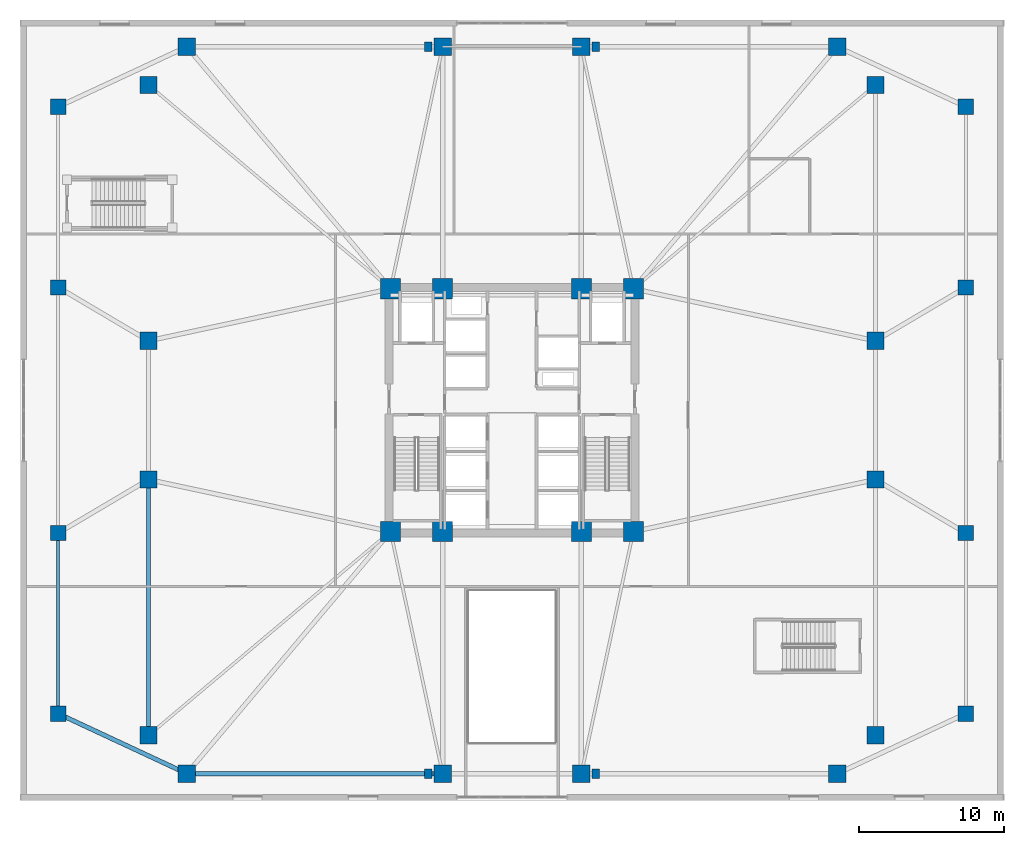
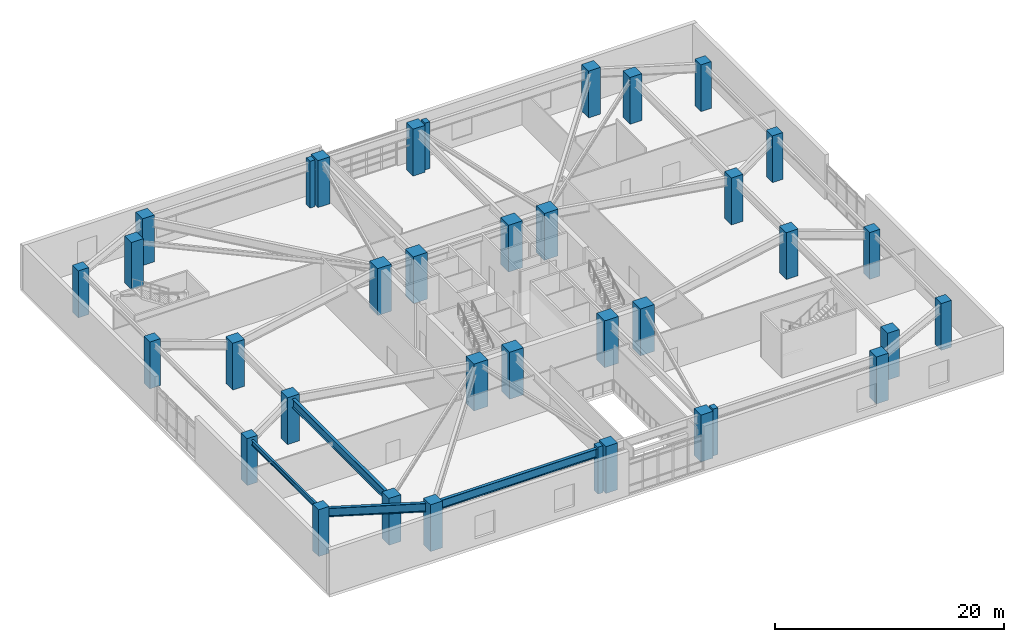
# One storey, part 1 of 20: 36 columns, 4 beams.
"""IFC4 building model written with IfcOpenShell, lengths in metres."""

import ifcopenshell
import ifcopenshell.guid

model = None  # the IFC model being written
_history = None  # IfcOwnerHistory: only IFC2X3 demands one
_inside = {}  # id of a spatial element -> (the spatial element, [elements in it])
_under = {}  # id of a project, library or spatial element -> (it, [spatial elements below it])
_declared = {}  # id of a project -> (the project, [libraries it declares])
_typed = {}  # id of a type object -> (the type object, [elements of that type])
_made_of = {}  # id of a material, layer set ... -> (it, [elements and type objects made of it])


def new_model(schema):
    """Start an empty IFC model of exactly this schema.

    Asked for "IFC4X3", IfcOpenShell would pick the latest addendum, in which some entities
    have other attributes; the version numbers below select the first issue.
    IFC2X3 requires an IfcOwnerHistory on every rooted entity: one is made here for all.
    """
    global model, _history
    if schema == "IFC4X3":
        model = ifcopenshell.file(schema_version=(4, 3, 0, 0))
    else:
        model = ifcopenshell.file(schema=schema)
    _inside.clear()
    _under.clear()
    _declared.clear()
    _typed.clear()
    _made_of.clear()
    _history = None
    if model.schema == "IFC2X3":
        org = make("IfcOrganization", Name="unknown")
        user = make(
            "IfcPersonAndOrganization",
            ThePerson=make("IfcPerson", FamilyName="unknown"),
            TheOrganization=org,
        )
        app = make(
            "IfcApplication",
            ApplicationDeveloper=org,
            Version="unknown",
            ApplicationFullName="unknown",
            ApplicationIdentifier="unknown",
        )
        _history = make(
            "IfcOwnerHistory",
            OwningUser=user,
            OwningApplication=app,
            ChangeAction="ADDED",
            CreationDate=0,
        )
    return model


def make(cls, **values):
    """One entity of the class cls with the attributes given. An attribute that is None is left unset."""
    return model.create_entity(
        cls, **{name: value for name, value in values.items() if value is not None}
    )


def rooted(cls, **values):
    """An entity with a GlobalId (a new one), such as an element, a storey or a relation."""
    return make(cls, GlobalId=ifcopenshell.guid.new(), OwnerHistory=_history, **values)


def si_unit(unit_type, name, prefix=None):
    """IfcSIUnit, for example si_unit("LENGTHUNIT", "METRE", prefix="MILLI")."""
    return make("IfcSIUnit", UnitType=unit_type, Prefix=prefix, Name=name)


def assignment(units):
    """IfcUnitAssignment: the units of a project."""
    return None if units is None else make("IfcUnitAssignment", Units=units)


def point(xyz):
    """IfcCartesianPoint."""
    return None if xyz is None else make("IfcCartesianPoint", Coordinates=xyz)


def direction(xyz):
    """IfcDirection."""
    return None if xyz is None else make("IfcDirection", DirectionRatios=xyz)


def frame(location, z_axis=None, x_axis=None):
    """IfcAxis2Placement3D, a coordinate frame: its origin and axes. An axis left out is left unset."""
    return make(
        "IfcAxis2Placement3D",
        Location=point(location),
        Axis=direction(z_axis),
        RefDirection=direction(x_axis),
    )


def frame_2d(location, x_axis=None):
    """IfcAxis2Placement2D, a coordinate frame in the plane: its origin and x axis."""
    return make(
        "IfcAxis2Placement2D", Location=point(location), RefDirection=direction(x_axis)
    )


def origin():
    """The frame at (0, 0, 0) with its axes left unset."""
    return frame((0.0, 0.0, 0.0))


def origin_2d():
    """The frame at (0, 0) in the plane with its x axis left unset."""
    return frame_2d((0.0, 0.0))


def place(relative_to, where):
    """IfcLocalPlacement: puts the frame where relative to a parent placement (None: the world)."""
    return make(
        "IfcLocalPlacement", PlacementRelTo=relative_to, RelativePlacement=where
    )


def context(
    kind, dimensions, precision=None, world=None, true_north=None, identifier=None
):
    """IfcGeometricRepresentationContext, for example the 3D "Model" context."""
    return make(
        "IfcGeometricRepresentationContext",
        ContextIdentifier=identifier,
        ContextType=kind,
        CoordinateSpaceDimension=dimensions,
        Precision=precision,
        WorldCoordinateSystem=world,
        TrueNorth=true_north,
    )


def subcontext(parent, identifier, kind, view, scale=None):
    """IfcGeometricRepresentationSubContext, for example "Body" below "Model"."""
    return make(
        "IfcGeometricRepresentationSubContext",
        ContextIdentifier=identifier,
        ContextType=kind,
        ParentContext=parent,
        TargetScale=scale,
        TargetView=view,
    )


def project(units=None, contexts=None):
    """IfcProject with its units and contexts."""
    return rooted(
        "IfcProject",
        Name="project",
        RepresentationContexts=contexts,
        UnitsInContext=assignment(units),
    )


def spatial(cls, under=None, at=None, **own):
    """A site, building, storey or space (cls), placed at a placement, below another one or the project."""
    s = rooted(cls, ObjectPlacement=at, **own)
    if under is not None:
        _under.setdefault(under.id(), (under, []))[1].append(s)
    return s


def profile(cls, at=None, kind="AREA", **sizes):
    """A parametric profile (cls). Its sizes go by their IFC names, for example OverallWidth=200.0."""
    return make(cls, ProfileType=kind, Position=at, **sizes)


def rectangle(**sizes):
    """IfcRectangleProfileDef."""
    return profile("IfcRectangleProfileDef", **sizes)


def i_section(**sizes):
    """IfcIShapeProfileDef."""
    return profile("IfcIShapeProfileDef", **sizes)


def extrude(swept, where, along, depth):
    """IfcExtrudedAreaSolid: the profile swept, set in the frame where, extruded along a direction by depth."""
    return make(
        "IfcExtrudedAreaSolid",
        SweptArea=swept,
        Position=where,
        ExtrudedDirection=direction(along),
        Depth=depth,
    )


def shape(context_of_items, identifier, shape_type, items):
    """IfcShapeRepresentation: the items that make up one representation, for example the "Body"."""
    return make(
        "IfcShapeRepresentation",
        ContextOfItems=context_of_items,
        RepresentationIdentifier=identifier,
        RepresentationType=shape_type,
        Items=items,
    )


def material(Name=None, Category=None):
    """IfcMaterial."""
    return make("IfcMaterial", Name=Name, Category=Category)


def material_profile(
    of_material, cross_section, Name=None, Category=None, Priority=None
):
    """IfcMaterialProfile: a cross section and its material."""
    return make(
        "IfcMaterialProfile",
        Name=Name,
        Material=of_material,
        Profile=cross_section,
        Priority=Priority,
        Category=Category,
    )


def profile_set(profiles, Name=None, composite=None):
    """IfcMaterialProfileSet."""
    return make(
        "IfcMaterialProfileSet",
        Name=Name,
        MaterialProfiles=profiles,
        CompositeProfile=composite,
    )


def made_of(thing, what):
    """Note that an element or type object is made of a material, layer set ...; save() writes the relation."""
    if what is not None:
        _made_of.setdefault(what.id(), (what, []))[1].append(thing)
    return thing


def type_object(cls, material=None, **own):
    """A type object (cls), such as IfcWallType, which elements share."""
    return made_of(rooted(cls, **own), material)


def element(
    cls,
    number,
    at=None,
    inside=None,
    cuts=None,
    type_object=None,
    material=None,
    context=None,
    identifier="Body",
    shape_type=None,
    held_by="IfcProductDefinitionShape",
    body=None,
    shapes=None,
    **own,
):
    """One element of the class cls, such as IfcWall. Its Tag is "e" and its number.

    at: its placement. inside: the storey or other place that contains it. cuts: it is an
    opening in that element (IfcRelVoidsElement). A single representation is given by context,
    identifier, shape_type and body (its items); several are given by shapes. held_by: the class
    of the entity that holds the representations. save() writes the other relations.
    """
    e = rooted(cls, Tag="e%d" % number, ObjectPlacement=at, **own)
    if body is not None:
        shapes = [shape(context, identifier, shape_type, body)]
    if shapes is not None:
        e.Representation = make(held_by, Representations=shapes)
    if inside is not None:
        _inside.setdefault(inside.id(), (inside, []))[1].append(e)
    if cuts is not None:
        rooted(
            "IfcRelVoidsElement", RelatingBuildingElement=cuts, RelatedOpeningElement=e
        )
    if type_object is not None:
        _typed.setdefault(type_object.id(), (type_object, []))[1].append(e)
    return made_of(e, material)


def aggregate(whole, parts):
    """IfcRelAggregates: a whole, such as a stair, and the parts it consists of."""
    return rooted("IfcRelAggregates", RelatingObject=whole, RelatedObjects=parts)


def save(model, path):
    """Write the relations noted so far, then the file.

    IfcRelAggregates (storeys below a building ...), IfcRelContainedInSpatialStructure (elements
    in a storey), IfcRelDefinesByType, IfcRelAssociatesMaterial and IfcRelDeclares: one each for
    every whole, place, type object, material and project.
    """
    for whole, parts in _under.values():
        aggregate(whole, parts)
    for where, things in _inside.values():
        rooted(
            "IfcRelContainedInSpatialStructure",
            RelatedElements=things,
            RelatingStructure=where,
        )
    for kind, things in _typed.values():
        rooted("IfcRelDefinesByType", RelatedObjects=things, RelatingType=kind)
    for what, things in _made_of.values():
        rooted("IfcRelAssociatesMaterial", RelatedObjects=things, RelatingMaterial=what)
    for by, libraries in _declared.values():
        rooted("IfcRelDeclares", RelatingContext=by, RelatedDefinitions=libraries)
    model.write(path)


model = new_model("IFC4")

# Units and contexts
model_context = context("Model", 3, precision=1e-05, world=origin(), true_north=direction((0.0, 1.0)))
body_context = subcontext(model_context, "Body", "Model", "MODEL_VIEW")
ifc_project = project(units=[si_unit("LENGTHUNIT", "METRE"), si_unit("AREAUNIT", "SQUARE_METRE"), si_unit("VOLUMEUNIT", "CUBIC_METRE"), si_unit("PLANEANGLEUNIT", "RADIAN"), si_unit("MASSUNIT", "GRAM", prefix="KILO")], contexts=[model_context])

# Site, building, storey
site_placement = place(None, origin())
site = spatial("IfcSite", under=ifc_project, at=site_placement, CompositionType="ELEMENT")
building_placement = place(site_placement, origin())
building = spatial("IfcBuilding", under=site, at=building_placement, Name="Cairnveth Concourse Tower", CompositionType="ELEMENT")
storey_placement = place(building_placement, frame((0.0, 0.0, 5.0)))
storey = spatial("IfcBuildingStorey", under=building, at=storey_placement, Name="L01", CompositionType="ELEMENT", Elevation=5.0)

# Columns
ifc_material_1 = material(Name="Concrete N80 (80 MPa)", Category="concrete")
ifc_material_profile_1 = material_profile(ifc_material_1, rectangle(XDim=1.39990234375, YDim=1.39990234375, at=origin_2d()), Name="RC-COL-1400x1400")
ifc_profile_set_1 = profile_set([ifc_material_profile_1], Name="Concrete N80 (80 MPa)")
column_type_1 = type_object("IfcColumnType", Name="CORE COLUMN 1400X1400", PredefinedType="COLUMN", material=ifc_profile_set_1)
for number, where, z_axis, x_axis, name in (
    (1, (43.60009765625, 30.60009765625, 0.0), (0.0, 0.0, 1.0), (1.0, 0.0, 0.0), "Column CC1 L01"),
    (2, (47.199951171875, 30.60009765625, 0.0), (0.0, 0.0, 1.0), (1.0, 0.0, 0.0), "Column CC2 L01"),
    (3, (56.800048828125, 30.60009765625, 0.0), (0.0, 0.0, 1.0), (1.0, 0.0, 0.0), "Column CC3 L01"),
    (4, (60.39990234375, 30.60009765625, 0.0), (0.0, 0.0, 1.0), (1.0, 0.0, 0.0), "Column CC4 L01"),
    (5, (43.60009765625, 47.39990234375, 0.0), (0.0, 0.0, 1.0), (1.0, 0.0, 0.0), "Column CC5 L01"),
    (6, (47.199951171875, 47.39990234375, 0.0), (0.0, 0.0, 1.0), (1.0, 0.0, 0.0), "Column CC6 L01"),
    (7, (56.800048828125, 47.39990234375, 0.0), (0.0, 0.0, 1.0), (1.0, 0.0, 0.0), "Column CC7 L01"),
    (8, (60.39990234375, 47.39990234375, 0.0), (0.0, 0.0, 1.0), (1.0, 0.0, 0.0), "Column CC8 L01"),
):
    element("IfcColumn", number, at=place(storey_placement, frame(where, z_axis=z_axis, x_axis=x_axis)), inside=storey, type_object=column_type_1, Name=name, PredefinedType="COLUMN", context=body_context, shape_type="SweptSolid", body=[
        extrude(rectangle(XDim=1.39990234375, YDim=1.39990234375, at=origin_2d()), origin(), (0.0, 0.0, 1.0), 5.0),
    ])
ifc_material_2 = material(Name="Concrete N65 (65 MPa)", Category="concrete")
ifc_material_profile_2 = material_profile(ifc_material_2, rectangle(XDim=0.5, YDim=0.64990234375, at=origin_2d()), Name="RC-PIL-650x500")
ifc_profile_set_2 = profile_set([ifc_material_profile_2], Name="Concrete N65 (65 MPa)")
column_type_2 = type_object("IfcColumnType", Name="CORNER PIER PILASTER 650X500", PredefinedType="PILASTER", material=ifc_profile_set_2)
for number, where, z_axis, x_axis, name in (
    (9, (46.199951171875, 13.85009765625, 0.0), (0.0, 0.0, 1.0), (1.0, 0.0, 0.0), "Column PIL-G1 L01"),
    (10, (57.800048828125, 13.85009765625, 0.0), (0.0, 0.0, 1.0), (1.0, 0.0, 0.0), "Column PIL-G2 L01"),
    (11, (46.199951171875, 64.14990234375, 0.0), (0.0, 0.0, 1.0), (1.0, 0.0, 0.0), "Column PIL-G3 L01"),
    (12, (57.800048828125, 64.14990234375, 0.0), (0.0, 0.0, 1.0), (1.0, 0.0, 0.0), "Column PIL-G4 L01"),
):
    element("IfcColumn", number, at=place(storey_placement, frame(where, z_axis=z_axis, x_axis=x_axis)), inside=storey, type_object=column_type_2, Name=name, PredefinedType="PILASTER", context=body_context, shape_type="SweptSolid", body=[
        extrude(rectangle(XDim=0.5, YDim=0.64990234375, at=origin_2d()), origin(), (0.0, 0.0, 1.0), 5.0),
    ])
ifc_material_profile_3 = material_profile(ifc_material_1, rectangle(XDim=1.199951171875, YDim=1.199951171875, at=origin_2d()), Name="RC-COL-1200x1200")
ifc_profile_set_3 = profile_set([ifc_material_profile_3], Name="Concrete N80 (80 MPa)")
column_type_3 = type_object("IfcColumnType", Name="PERIMETER PIER COLUMN 1200X1200", PredefinedType="COLUMN", material=ifc_profile_set_3)
for number, where, z_axis, x_axis, name in (
    (13, (29.5, 13.85009765625, 0.0), (0.0, 0.0, 1.0), (1.0, 0.0, 0.0), "Column Z1-S1 L01"),
    (14, (47.199951171875, 13.85009765625, 0.0), (0.0, 0.0, 1.0), (1.0, 0.0, 0.0), "Column Z1-S2 L01"),
    (15, (56.800048828125, 13.85009765625, 0.0), (0.0, 0.0, 1.0), (1.0, 0.0, 0.0), "Column Z1-S3 L01"),
    (16, (74.5, 13.85009765625, 0.0), (0.0, 0.0, 1.0), (1.0, 0.0, 0.0), "Column Z1-S4 L01"),
    (17, (77.14990234375, 16.5, 0.0), (0.0, 0.0, 1.0), (1.0, 0.0, 0.0), "Column Z1-E1 L01"),
    (18, (77.14990234375, 34.199951171875, 0.0), (0.0, 0.0, 1.0), (1.0, 0.0, 0.0), "Column Z1-E2 L01"),
    (19, (77.14990234375, 43.800048828125, 0.0), (0.0, 0.0, 1.0), (1.0, 0.0, 0.0), "Column Z1-E3 L01"),
    (20, (77.14990234375, 61.5, 0.0), (0.0, 0.0, 1.0), (1.0, 0.0, 0.0), "Column Z1-E4 L01"),
    (21, (74.5, 64.14990234375, 0.0), (0.0, 0.0, 1.0), (1.0, 0.0, 0.0), "Column Z1-N1 L01"),
    (22, (56.800048828125, 64.14990234375, 0.0), (0.0, 0.0, 1.0), (1.0, 0.0, 0.0), "Column Z1-N2 L01"),
    (23, (47.199951171875, 64.14990234375, 0.0), (0.0, 0.0, 1.0), (1.0, 0.0, 0.0), "Column Z1-N3 L01"),
    (24, (29.5, 64.14990234375, 0.0), (0.0, 0.0, 1.0), (1.0, 0.0, 0.0), "Column Z1-N4 L01"),
    (25, (26.85009765625, 61.5, 0.0), (0.0, 0.0, 1.0), (1.0, 0.0, 0.0), "Column Z1-W1 L01"),
    (26, (26.85009765625, 43.800048828125, 0.0), (0.0, 0.0, 1.0), (1.0, 0.0, 0.0), "Column Z1-W2 L01"),
    (27, (26.85009765625, 34.199951171875, 0.0), (0.0, 0.0, 1.0), (1.0, 0.0, 0.0), "Column Z1-W3 L01"),
    (28, (26.85009765625, 16.5, 0.0), (0.0, 0.0, 1.0), (1.0, 0.0, 0.0), "Column Z1-W4 L01"),
):
    element("IfcColumn", number, at=place(storey_placement, frame(where, z_axis=z_axis, x_axis=x_axis)), inside=storey, type_object=column_type_3, Name=name, PredefinedType="COLUMN", context=body_context, shape_type="SweptSolid", body=[
        extrude(rectangle(XDim=1.199951171875, YDim=1.199951171875, at=origin_2d()), origin(), (0.0, 0.0, 1.0), 5.0),
    ])
ifc_material_profile_4 = material_profile(ifc_material_2, rectangle(XDim=1.050048828125, YDim=1.050048828125, at=origin_2d()), Name="RC-COL-1050x1050")
ifc_profile_set_4 = profile_set([ifc_material_profile_4], Name="Concrete N65 (65 MPa)")
column_type_4 = type_object("IfcColumnType", Name="PODIUM CONCOURSE COLUMN 1050X1050", PredefinedType="COLUMN", material=ifc_profile_set_4)
for number, where, z_axis, x_axis, name in (
    (29, (20.60009765625, 18.0, 0.0), (0.0, 0.0, 1.0), (1.0, 0.0, 0.0), "Column PC-W1 L01"),
    (30, (20.60009765625, 30.5, 0.0), (0.0, 0.0, 1.0), (1.0, 0.0, 0.0), "Column PC-W2 L01"),
    (31, (20.60009765625, 47.5, 0.0), (0.0, 0.0, 1.0), (1.0, 0.0, 0.0), "Column PC-W3 L01"),
    (32, (20.60009765625, 60.0, 0.0), (0.0, 0.0, 1.0), (1.0, 0.0, 0.0), "Column PC-W4 L01"),
    (33, (83.39990234375, 18.0, 0.0), (0.0, 0.0, 1.0), (1.0, 0.0, 0.0), "Column PC-E1 L01"),
    (34, (83.39990234375, 30.5, 0.0), (0.0, 0.0, 1.0), (1.0, 0.0, 0.0), "Column PC-E2 L01"),
    (35, (83.39990234375, 47.5, 0.0), (0.0, 0.0, 1.0), (1.0, 0.0, 0.0), "Column PC-E3 L01"),
    (36, (83.39990234375, 60.0, 0.0), (0.0, 0.0, 1.0), (1.0, 0.0, 0.0), "Column PC-E4 L01"),
):
    element("IfcColumn", number, at=place(storey_placement, frame(where, z_axis=z_axis, x_axis=x_axis)), inside=storey, type_object=column_type_4, Name=name, PredefinedType="COLUMN", context=body_context, shape_type="SweptSolid", body=[
        extrude(rectangle(XDim=1.050048828125, YDim=1.050048828125, at=origin_2d()), origin(), (0.0, 0.0, 1.0), 5.0),
    ])

# Beams
ifc_material_3 = material(Name="Steel Grade 350", Category="steel")
ifc_material_profile_5 = material_profile(ifc_material_3, i_section(OverallWidth=0.208984375, OverallDepth=0.532958984375, WebThickness=0.01025390625, FlangeThickness=0.015625, FilletRadius=0.013916015625, at=origin_2d()), Name="530UB92.4")
ifc_profile_set_5 = profile_set([ifc_material_profile_5], Name="Steel Grade 350")
beam_type_1 = type_object("IfcBeamType", Name="PODIUM EDGE SPANDREL 530UB92.4", PredefinedType="SPANDREL", material=ifc_profile_set_5)
beam_1_placement = place(storey_placement, frame((20.60009765625, 18.0, 4.45361328125), z_axis=(0.0, 1.0, 0.0), x_axis=(-1.0, 0.0, 0.0)))
element("IfcBeam", 37, at=beam_1_placement, inside=storey, type_object=beam_type_1, Name="Beam PSP-W1 L01", PredefinedType="SPANDREL", context=body_context, shape_type="SweptSolid", body=[
    extrude(i_section(OverallWidth=0.208984375, OverallDepth=0.532958984375, WebThickness=0.01025390625, FlangeThickness=0.015625, FilletRadius=0.013916015625, at=origin_2d()), origin(), (0.0, 0.0, 1.0), 12.5),
])
ifc_material_profile_6 = material_profile(ifc_material_3, i_section(OverallWidth=0.300048828125, OverallDepth=0.924072265625, WebThickness=0.013916015625, FlangeThickness=0.031982421875, at=origin_2d()), Name="900WB257")
ifc_profile_set_6 = profile_set([ifc_material_profile_6], Name="Steel Grade 350")
beam_type_2 = type_object("IfcBeamType", Name="PODIUM PRIMARY GIRDER 900WB257", PredefinedType="BEAM", material=ifc_profile_set_6)
beam_2_placement = place(storey_placement, frame((20.60009765625, 18.0, 4.258056640625), z_axis=(0.906315208572, -0.422602345842, 0.0), x_axis=(0.422602345842, 0.906315208572, 0.0)))
element("IfcBeam", 38, at=beam_2_placement, inside=storey, type_object=beam_type_2, Name="Beam PG-W-S L01", PredefinedType="BEAM", context=body_context, shape_type="SweptSolid", body=[
    extrude(i_section(OverallWidth=0.300048828125, OverallDepth=0.924072265625, WebThickness=0.013916015625, FlangeThickness=0.031982421875, at=origin_2d()), origin(), (0.0, 0.0, 1.0), 9.81982421875),
])
for number, where, z_axis, x_axis, name in (
    (39, (29.5, 13.85009765625, 4.258056640625), (1.0, 0.0, 0.0), (0.0, 1.0, 0.0), "Beam PR-S1 L01"),
    (40, (26.85009765625, 16.5, 4.258056640625), (0.0, 1.0, 0.0), (-1.0, 0.0, 0.0), "Beam PR-W1 L01"),
):
    element("IfcBeam", number, at=place(storey_placement, frame(where, z_axis=z_axis, x_axis=x_axis)), inside=storey, type_object=beam_type_2, Name=name, PredefinedType="BEAM", context=body_context, shape_type="SweptSolid", body=[
        extrude(i_section(OverallWidth=0.300048828125, OverallDepth=0.924072265625, WebThickness=0.013916015625, FlangeThickness=0.031982421875, at=origin_2d()), origin(), (0.0, 0.0, 1.0), 17.699951171875),
    ])

save(model, "model.ifc")
